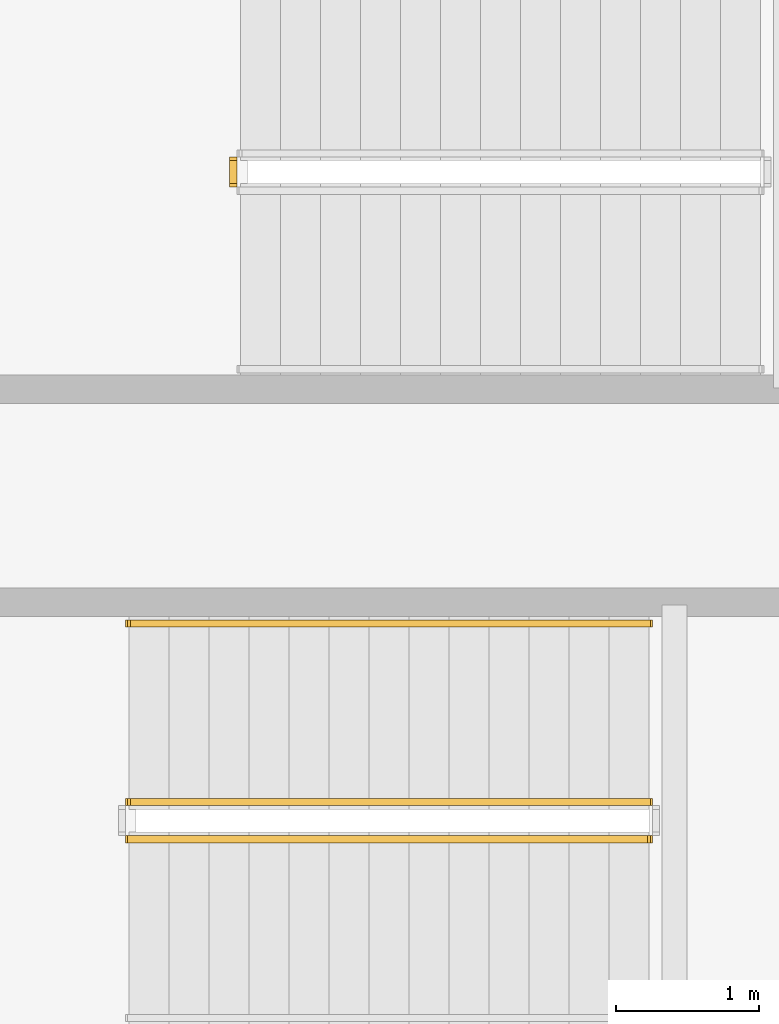
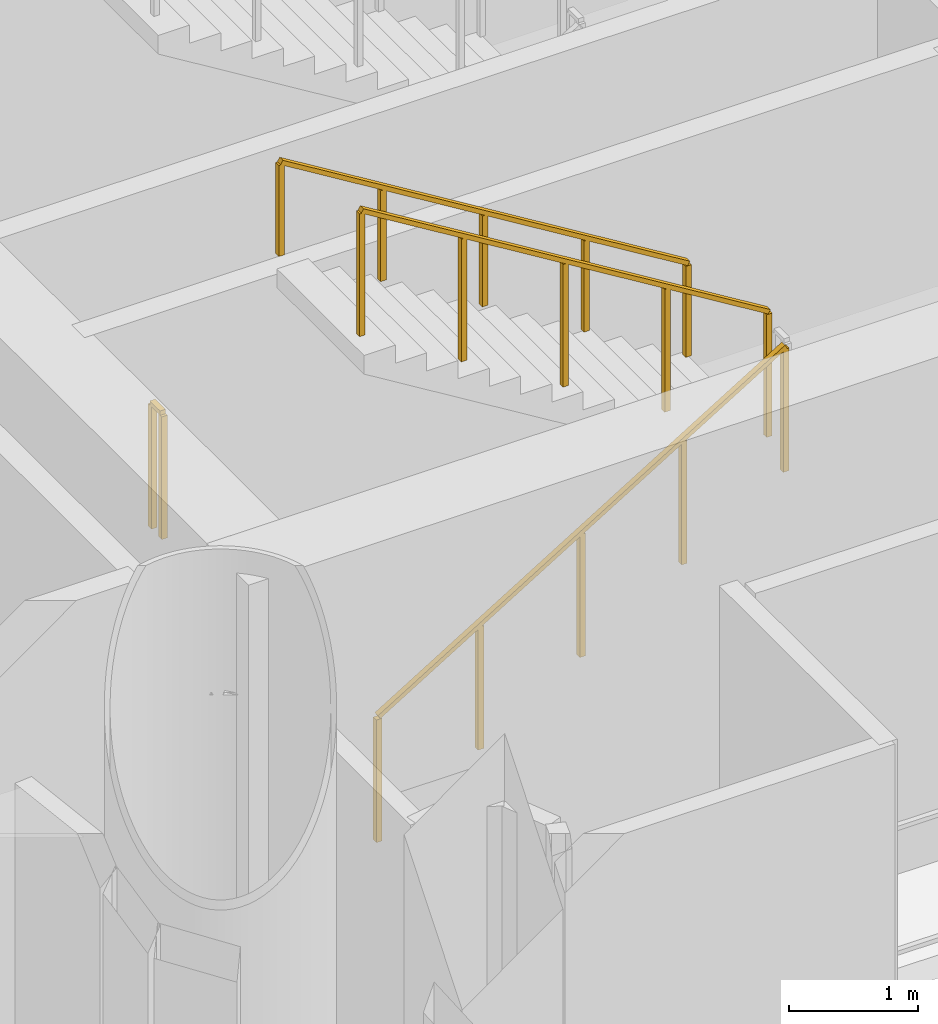
# One storey, part 38 of 45: 4 railings.
"""IFC4 building model written with IfcOpenShell, lengths in metres."""

from ifc_helpers import new_model, si_unit, direction, frame, origin, origin_2d, place, context, subcontext, project, spatial, rectangle, extrude, material, type_object, element, save


model = new_model("IFC4")

# Units and contexts
model_context = context("Model", 3, precision=1e-05, world=origin(), true_north=direction((0.0, 1.0)))
body_context = subcontext(model_context, "Body", "Model", "MODEL_VIEW")
ifc_project = project(units=[si_unit("LENGTHUNIT", "METRE"), si_unit("AREAUNIT", "SQUARE_METRE"), si_unit("VOLUMEUNIT", "CUBIC_METRE"), si_unit("PLANEANGLEUNIT", "RADIAN"), si_unit("MASSUNIT", "GRAM", prefix="KILO")], contexts=[model_context])

# Site, building, storey
site_placement = place(None, origin())
site = spatial("IfcSite", under=ifc_project, at=site_placement, CompositionType="ELEMENT")
building_placement = place(site_placement, origin())
building = spatial("IfcBuilding", under=site, at=building_placement, Name="Qianvela Tower", CompositionType="ELEMENT")
storey_placement = place(building_placement, frame((0.0, 0.0, 11.0)))
storey = spatial("IfcBuildingStorey", under=building, at=storey_placement, Name="L02", CompositionType="ELEMENT", Elevation=11.0)

# Railings
ifc_material_1 = material(Name="Painted Tubular Steel Q355B", Category="steel")
railing_type_1 = type_object("IfcRailingType", Name="RL-STAIR-GUARD-1200", PredefinedType="GUARDRAIL", material=ifc_material_1)
railing_1_placement = place(storey_placement, frame((32.14990234375, 30.889892578125, 0.0)))
element("IfcRailing", 1, at=railing_1_placement, inside=storey, type_object=railing_type_1, Name="L02 ST-1 stair guard 4", PredefinedType="GUARDRAIL", context=body_context, shape_type="SweptSolid", body=[
    extrude(rectangle(XDim=0.050048828125, YDim=0.0400390625, at=origin_2d()), frame((0.0, 0.0, 1.179931640625), z_axis=(0.0, 1.0, 0.0), x_axis=(-1.0, 0.0, 0.0)), (0.0, 0.0, 1.0), 0.16015625),
    extrude(rectangle(XDim=0.050048828125, YDim=0.050048828125, at=origin_2d()), origin(), (0.0, 0.0, 1.0), 1.159912109375),
    extrude(rectangle(XDim=0.050048828125, YDim=0.050048828125, at=origin_2d()), frame((0.0, 0.16015625, 0.0)), (0.0, 0.0, 1.0), 1.159912109375),
])
railing_2_placement = place(storey_placement, frame((31.419921875, 26.300048828125, 0.17138671875)))
element("IfcRailing", 2, at=railing_2_placement, inside=storey, type_object=railing_type_1, Name="L02 ST-2 stair guard 1", PredefinedType="GUARDRAIL", context=body_context, shape_type="SweptSolid", body=[
    extrude(rectangle(XDim=0.050048828125, YDim=0.0400390625, at=origin_2d()), frame((0.0, 0.0, 1.179931640625), z_axis=(0.852865859571, 0.0, 0.52213008492), x_axis=(0.0, 1.0, 0.0)), (0.0, 0.0, 1.0), 4.26806640625),
    extrude(rectangle(XDim=0.050048828125, YDim=0.050048828125, at=origin_2d()), origin(), (0.0, 0.0, 1.0), 1.159912109375),
    extrude(rectangle(XDim=0.050048828125, YDim=0.050048828125, at=origin_2d()), frame((0.91015625, 0.0, 0.55712890625)), (0.0, 0.0, 1.0), 1.159912109375),
    extrude(rectangle(XDim=0.050048828125, YDim=0.050048828125, at=origin_2d()), frame((1.820068359375, 0.0, 1.1142578125)), (0.0, 0.0, 1.0), 1.159912109375),
    extrude(rectangle(XDim=0.050048828125, YDim=0.050048828125, at=origin_2d()), frame((2.72998046875, 0.0, 1.67138671875)), (0.0, 0.0, 1.0), 1.159912109375),
    extrude(rectangle(XDim=0.050048828125, YDim=0.050048828125, at=origin_2d()), frame((3.64013671875, 0.0, 2.228515625)), (0.0, 0.0, 1.0), 1.159912109375),
])
railing_3_placement = place(storey_placement, frame((35.06005859375, 26.56005859375, 2.571533203125)))
element("IfcRailing", 3, at=railing_3_placement, inside=storey, type_object=railing_type_1, Name="L02 ST-2 stair guard 3", PredefinedType="GUARDRAIL", context=body_context, shape_type="SweptSolid", body=[
    extrude(rectangle(XDim=0.050048828125, YDim=0.0400390625, at=origin_2d()), frame((0.0, 0.0, 1.179931640625), z_axis=(-0.852865859571, 0.0, 0.52213008492), x_axis=(0.0, -1.0, 0.0)), (0.0, 0.0, 1.0), 4.26806640625),
    extrude(rectangle(XDim=0.050048828125, YDim=0.050048828125, at=origin_2d()), origin(), (0.0, 0.0, 1.0), 1.159912109375),
    extrude(rectangle(XDim=0.050048828125, YDim=0.050048828125, at=origin_2d()), frame((-0.91015625, 0.0, 0.55712890625)), (0.0, 0.0, 1.0), 1.159912109375),
    extrude(rectangle(XDim=0.050048828125, YDim=0.050048828125, at=origin_2d()), frame((-1.820068359375, 0.0, 1.1142578125)), (0.0, 0.0, 1.0), 1.159912109375),
    extrude(rectangle(XDim=0.050048828125, YDim=0.050048828125, at=origin_2d()), frame((-2.72998046875, 0.0, 1.67138671875)), (0.0, 0.0, 1.0), 1.159912109375),
    extrude(rectangle(XDim=0.050048828125, YDim=0.050048828125, at=origin_2d()), frame((-3.64013671875, 0.0, 2.228515625)), (0.0, 0.0, 1.0), 1.159912109375),
])
ifc_material_2 = material(Name="Brushed Stainless Steel 304", Category="steel")
railing_type_2 = type_object("IfcRailingType", Name="RL-STAIR-HANDRAIL-900", PredefinedType="HANDRAIL", material=ifc_material_2)
railing_4_placement = place(storey_placement, frame((35.06005859375, 27.81005859375, 2.571533203125)))
element("IfcRailing", 4, at=railing_4_placement, inside=storey, type_object=railing_type_2, Name="L02 ST-2 stair handrail 2", PredefinedType="HANDRAIL", context=body_context, shape_type="SweptSolid", body=[
    extrude(rectangle(XDim=0.050048828125, YDim=0.0400390625, at=origin_2d()), frame((0.0, 0.0, 0.8798828125), z_axis=(-0.852865859571, 0.0, 0.52213008492), x_axis=(0.0, -1.0, 0.0)), (0.0, 0.0, 1.0), 4.26806640625),
    extrude(rectangle(XDim=0.050048828125, YDim=0.050048828125, at=origin_2d()), origin(), (0.0, 0.0, 1.0), 0.85986328125),
    extrude(rectangle(XDim=0.050048828125, YDim=0.050048828125, at=origin_2d()), frame((-0.91015625, 0.0, 0.55712890625)), (0.0, 0.0, 1.0), 0.85986328125),
    extrude(rectangle(XDim=0.050048828125, YDim=0.050048828125, at=origin_2d()), frame((-1.820068359375, 0.0, 1.1142578125)), (0.0, 0.0, 1.0), 0.85986328125),
    extrude(rectangle(XDim=0.050048828125, YDim=0.050048828125, at=origin_2d()), frame((-2.72998046875, 0.0, 1.67138671875)), (0.0, 0.0, 1.0), 0.85986328125),
    extrude(rectangle(XDim=0.050048828125, YDim=0.050048828125, at=origin_2d()), frame((-3.64013671875, 0.0, 2.228515625)), (0.0, 0.0, 1.0), 0.85986328125),
])

save(model, "model.ifc")
